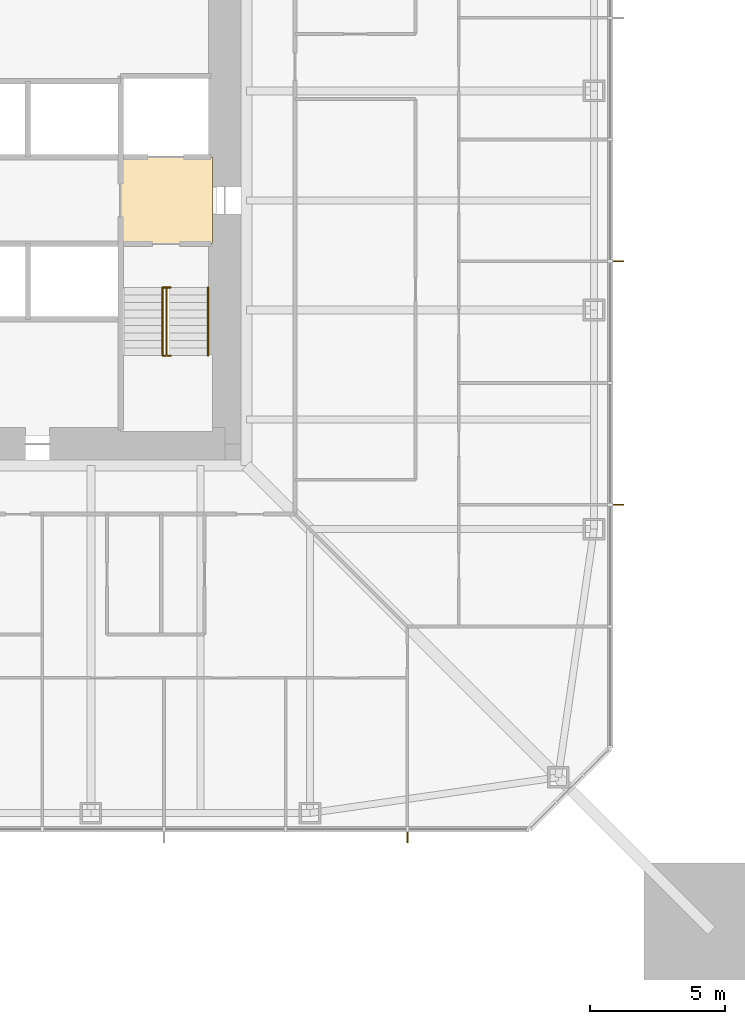
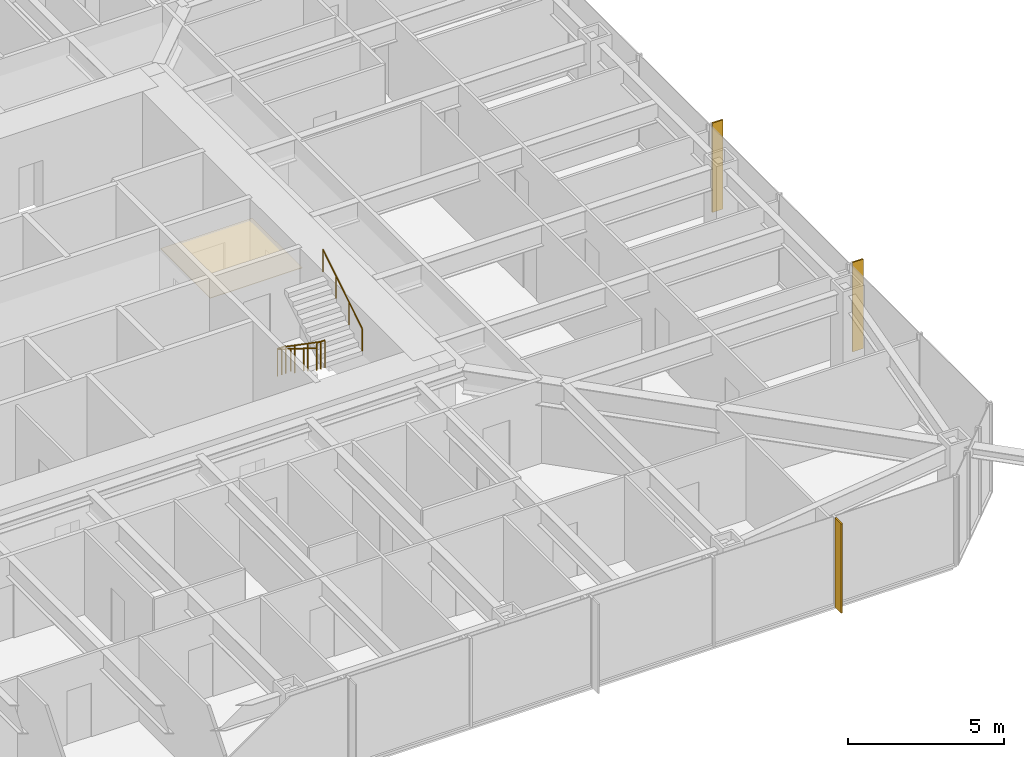
# One storey, part 24 of 26: 3 railings, 3 shading devices, 1 covering.
"""IFC4 building model written with IfcOpenShell, lengths in metres."""

import ifcopenshell
import ifcopenshell.guid

model = None  # the IFC model being written
_history = None  # IfcOwnerHistory: only IFC2X3 demands one
_inside = {}  # id of a spatial element -> (the spatial element, [elements in it])
_under = {}  # id of a project, library or spatial element -> (it, [spatial elements below it])
_declared = {}  # id of a project -> (the project, [libraries it declares])
_typed = {}  # id of a type object -> (the type object, [elements of that type])
_made_of = {}  # id of a material, layer set ... -> (it, [elements and type objects made of it])


def new_model(schema):
    """Start an empty IFC model of exactly this schema.

    Asked for "IFC4X3", IfcOpenShell would pick the latest addendum, in which some entities
    have other attributes; the version numbers below select the first issue.
    IFC2X3 requires an IfcOwnerHistory on every rooted entity: one is made here for all.
    """
    global model, _history
    if schema == "IFC4X3":
        model = ifcopenshell.file(schema_version=(4, 3, 0, 0))
    else:
        model = ifcopenshell.file(schema=schema)
    _inside.clear()
    _under.clear()
    _declared.clear()
    _typed.clear()
    _made_of.clear()
    _history = None
    if model.schema == "IFC2X3":
        org = make("IfcOrganization", Name="unknown")
        user = make(
            "IfcPersonAndOrganization",
            ThePerson=make("IfcPerson", FamilyName="unknown"),
            TheOrganization=org,
        )
        app = make(
            "IfcApplication",
            ApplicationDeveloper=org,
            Version="unknown",
            ApplicationFullName="unknown",
            ApplicationIdentifier="unknown",
        )
        _history = make(
            "IfcOwnerHistory",
            OwningUser=user,
            OwningApplication=app,
            ChangeAction="ADDED",
            CreationDate=0,
        )
    return model


def make(cls, **values):
    """One entity of the class cls with the attributes given. An attribute that is None is left unset."""
    return model.create_entity(
        cls, **{name: value for name, value in values.items() if value is not None}
    )


def rooted(cls, **values):
    """An entity with a GlobalId (a new one), such as an element, a storey or a relation."""
    return make(cls, GlobalId=ifcopenshell.guid.new(), OwnerHistory=_history, **values)


def si_unit(unit_type, name, prefix=None):
    """IfcSIUnit, for example si_unit("LENGTHUNIT", "METRE", prefix="MILLI")."""
    return make("IfcSIUnit", UnitType=unit_type, Prefix=prefix, Name=name)


def assignment(units):
    """IfcUnitAssignment: the units of a project."""
    return None if units is None else make("IfcUnitAssignment", Units=units)


def point(xyz):
    """IfcCartesianPoint."""
    return None if xyz is None else make("IfcCartesianPoint", Coordinates=xyz)


def direction(xyz):
    """IfcDirection."""
    return None if xyz is None else make("IfcDirection", DirectionRatios=xyz)


def frame(location, z_axis=None, x_axis=None):
    """IfcAxis2Placement3D, a coordinate frame: its origin and axes. An axis left out is left unset."""
    return make(
        "IfcAxis2Placement3D",
        Location=point(location),
        Axis=direction(z_axis),
        RefDirection=direction(x_axis),
    )


def frame_2d(location, x_axis=None):
    """IfcAxis2Placement2D, a coordinate frame in the plane: its origin and x axis."""
    return make(
        "IfcAxis2Placement2D", Location=point(location), RefDirection=direction(x_axis)
    )


def origin():
    """The frame at (0, 0, 0) with its axes left unset."""
    return frame((0.0, 0.0, 0.0))


def origin_2d():
    """The frame at (0, 0) in the plane with its x axis left unset."""
    return frame_2d((0.0, 0.0))


def place(relative_to, where):
    """IfcLocalPlacement: puts the frame where relative to a parent placement (None: the world)."""
    return make(
        "IfcLocalPlacement", PlacementRelTo=relative_to, RelativePlacement=where
    )


def context(
    kind, dimensions, precision=None, world=None, true_north=None, identifier=None
):
    """IfcGeometricRepresentationContext, for example the 3D "Model" context."""
    return make(
        "IfcGeometricRepresentationContext",
        ContextIdentifier=identifier,
        ContextType=kind,
        CoordinateSpaceDimension=dimensions,
        Precision=precision,
        WorldCoordinateSystem=world,
        TrueNorth=true_north,
    )


def subcontext(parent, identifier, kind, view, scale=None):
    """IfcGeometricRepresentationSubContext, for example "Body" below "Model"."""
    return make(
        "IfcGeometricRepresentationSubContext",
        ContextIdentifier=identifier,
        ContextType=kind,
        ParentContext=parent,
        TargetScale=scale,
        TargetView=view,
    )


def project(units=None, contexts=None):
    """IfcProject with its units and contexts."""
    return rooted(
        "IfcProject",
        Name="project",
        RepresentationContexts=contexts,
        UnitsInContext=assignment(units),
    )


def spatial(cls, under=None, at=None, **own):
    """A site, building, storey or space (cls), placed at a placement, below another one or the project."""
    s = rooted(cls, ObjectPlacement=at, **own)
    if under is not None:
        _under.setdefault(under.id(), (under, []))[1].append(s)
    return s


def polyline(points):
    """IfcPolyline through the points."""
    return make("IfcPolyline", Points=[point(p) for p in points])


def profile(cls, at=None, kind="AREA", **sizes):
    """A parametric profile (cls). Its sizes go by their IFC names, for example OverallWidth=200.0."""
    return make(cls, ProfileType=kind, Position=at, **sizes)


def rectangle(**sizes):
    """IfcRectangleProfileDef."""
    return profile("IfcRectangleProfileDef", **sizes)


def circle(**sizes):
    """IfcCircleProfileDef."""
    return profile("IfcCircleProfileDef", **sizes)


def outline(outer, holes=None, kind="AREA"):
    """IfcArbitraryClosedProfileDef: a profile drawn as a closed curve; with holes, ...WithVoids."""
    if holes is None:
        return make("IfcArbitraryClosedProfileDef", ProfileType=kind, OuterCurve=outer)
    return make(
        "IfcArbitraryProfileDefWithVoids",
        ProfileType=kind,
        OuterCurve=outer,
        InnerCurves=holes,
    )


def extrude(swept, where, along, depth):
    """IfcExtrudedAreaSolid: the profile swept, set in the frame where, extruded along a direction by depth."""
    return make(
        "IfcExtrudedAreaSolid",
        SweptArea=swept,
        Position=where,
        ExtrudedDirection=direction(along),
        Depth=depth,
    )


def shape(context_of_items, identifier, shape_type, items):
    """IfcShapeRepresentation: the items that make up one representation, for example the "Body"."""
    return make(
        "IfcShapeRepresentation",
        ContextOfItems=context_of_items,
        RepresentationIdentifier=identifier,
        RepresentationType=shape_type,
        Items=items,
    )


def material(Name=None, Category=None):
    """IfcMaterial."""
    return make("IfcMaterial", Name=Name, Category=Category)


def layer(
    of_material, thickness, ventilated=None, Name=None, Category=None, Priority=None
):
    """IfcMaterialLayer: one layer of a wall or slab, of a material (None: an air gap)."""
    return make(
        "IfcMaterialLayer",
        Material=of_material,
        LayerThickness=thickness,
        IsVentilated=ventilated,
        Name=Name,
        Category=Category,
        Priority=Priority,
    )


def layer_set(layers, Name=None):
    """IfcMaterialLayerSet."""
    return make("IfcMaterialLayerSet", MaterialLayers=layers, LayerSetName=Name)


def constituent(of_material, Name=None, Category=None, fraction=None):
    """IfcMaterialConstituent: one of the materials an element consists of."""
    return make(
        "IfcMaterialConstituent",
        Name=Name,
        Material=of_material,
        Fraction=fraction,
        Category=Category,
    )


def constituent_set(constituents=None, Name=None):
    """IfcMaterialConstituentSet."""
    return make(
        "IfcMaterialConstituentSet", Name=Name, MaterialConstituents=constituents
    )


def made_of(thing, what):
    """Note that an element or type object is made of a material, layer set ...; save() writes the relation."""
    if what is not None:
        _made_of.setdefault(what.id(), (what, []))[1].append(thing)
    return thing


def type_object(cls, material=None, **own):
    """A type object (cls), such as IfcWallType, which elements share."""
    return made_of(rooted(cls, **own), material)


def element(
    cls,
    number,
    at=None,
    inside=None,
    cuts=None,
    type_object=None,
    material=None,
    context=None,
    identifier="Body",
    shape_type=None,
    held_by="IfcProductDefinitionShape",
    body=None,
    shapes=None,
    **own,
):
    """One element of the class cls, such as IfcWall. Its Tag is "e" and its number.

    at: its placement. inside: the storey or other place that contains it. cuts: it is an
    opening in that element (IfcRelVoidsElement). A single representation is given by context,
    identifier, shape_type and body (its items); several are given by shapes. held_by: the class
    of the entity that holds the representations. save() writes the other relations.
    """
    e = rooted(cls, Tag="e%d" % number, ObjectPlacement=at, **own)
    if body is not None:
        shapes = [shape(context, identifier, shape_type, body)]
    if shapes is not None:
        e.Representation = make(held_by, Representations=shapes)
    if inside is not None:
        _inside.setdefault(inside.id(), (inside, []))[1].append(e)
    if cuts is not None:
        rooted(
            "IfcRelVoidsElement", RelatingBuildingElement=cuts, RelatedOpeningElement=e
        )
    if type_object is not None:
        _typed.setdefault(type_object.id(), (type_object, []))[1].append(e)
    return made_of(e, material)


def aggregate(whole, parts):
    """IfcRelAggregates: a whole, such as a stair, and the parts it consists of."""
    return rooted("IfcRelAggregates", RelatingObject=whole, RelatedObjects=parts)


def save(model, path):
    """Write the relations noted so far, then the file.

    IfcRelAggregates (storeys below a building ...), IfcRelContainedInSpatialStructure (elements
    in a storey), IfcRelDefinesByType, IfcRelAssociatesMaterial and IfcRelDeclares: one each for
    every whole, place, type object, material and project.
    """
    for whole, parts in _under.values():
        aggregate(whole, parts)
    for where, things in _inside.values():
        rooted(
            "IfcRelContainedInSpatialStructure",
            RelatedElements=things,
            RelatingStructure=where,
        )
    for kind, things in _typed.values():
        rooted("IfcRelDefinesByType", RelatedObjects=things, RelatingType=kind)
    for what, things in _made_of.values():
        rooted("IfcRelAssociatesMaterial", RelatedObjects=things, RelatingMaterial=what)
    for by, libraries in _declared.values():
        rooted("IfcRelDeclares", RelatingContext=by, RelatedDefinitions=libraries)
    model.write(path)


model = new_model("IFC4")

# Units and contexts
model_context = context("Model", 3, precision=1e-05, world=origin(), true_north=direction((0.0, 1.0)))
body_context = subcontext(model_context, "Body", "Model", "MODEL_VIEW")
ifc_project = project(units=[si_unit("LENGTHUNIT", "METRE"), si_unit("AREAUNIT", "SQUARE_METRE"), si_unit("VOLUMEUNIT", "CUBIC_METRE"), si_unit("PLANEANGLEUNIT", "RADIAN"), si_unit("MASSUNIT", "GRAM", prefix="KILO")], contexts=[model_context])

# Site, building, storey
site_placement = place(None, origin())
site = spatial("IfcSite", under=ifc_project, at=site_placement, CompositionType="ELEMENT")
building_placement = place(site_placement, origin())
building = spatial("IfcBuilding", under=site, at=building_placement, Name="Iwan Alto Co-Living Towers", CompositionType="ELEMENT")
storey_placement = place(building_placement, frame((0.0, 0.0, 60.5)))
storey = spatial("IfcBuildingStorey", under=building, at=storey_placement, Name="L16", CompositionType="ELEMENT", Elevation=60.5)

# Covering
ifc_material_1 = material(Name="Mineral fibre acoustic tiles on steel grid", Category="steel")
ifc_layer_1 = layer(ifc_material_1, 0.02001953125)
ifc_layer_set_1 = layer_set([ifc_layer_1], Name="ACOUSTIC TILE CEILING 20")
covering_type = type_object("IfcCoveringType", Name="ACOUSTIC TILE CEILING 20", PredefinedType="CEILING", material=ifc_layer_set_1)
covering_placement = place(storey_placement, frame((0.0, 0.0, 2.60009765625)))
element("IfcCovering", 1, at=covering_placement, inside=storey, type_object=covering_type, Name="Ceiling Firefighting lobby L16", PredefinedType="CEILING", context=body_context, shape_type="SweptSolid", body=[
    extrude(outline(polyline([(5.14990234375, -1.60009765625), (5.14990234375, 1.60009765625), (8.550048828125, 1.60009765625), (8.550048828125, -1.60009765625), (5.14990234375, -1.60009765625)])), origin(), (0.0, 0.0, 1.0), 0.02001953125),
])

# Shading devices
ifc_material_2 = material(Name="Aluminium 6063-T6 bronze anodised", Category="aluminium")
ifc_layer_2 = layer(ifc_material_2, 0.050048828125)
ifc_layer_set_2 = layer_set([ifc_layer_2], Name="BRONZE FIN 50X400")
shading_device_type = type_object("IfcShadingDeviceType", Name="BRONZE FIN 50X400", PredefinedType="USERDEFINED", material=ifc_layer_set_2)
for number, where, z_axis, x_axis, name in (
    (2, (15.75, -23.550048828125, 0.0), (0.0, 0.0, 1.0), (1.0, 0.0, 0.0), "Bronze fin L16"),
    (3, (23.550048828125, -11.25, 0.0), (0.0, 0.0, 1.0), (0.0, 1.0, 0.0), "Bronze fin L16"),
    (4, (23.550048828125, -2.25, 0.0), (0.0, 0.0, 1.0), (0.0, 1.0, 0.0), "Bronze fin L16"),
):
    element("IfcShadingDevice", number, at=place(storey_placement, frame(where, z_axis=z_axis, x_axis=x_axis)), inside=storey, type_object=shading_device_type, Name=name, ObjectType="LOUVER", PredefinedType="USERDEFINED", context=body_context, shape_type="SweptSolid", body=[
        extrude(rectangle(XDim=0.050048828125, YDim=0.39990234375, at=origin_2d()), origin(), (0.0, 0.0, 1.0), 3.5),
    ])

# Railings
ifc_material_3 = material(Name="Steel ASTM A500 Gr C", Category="steel")
ifc_constituent_1 = constituent(ifc_material_3, Name="Rails and posts", Category="Framing")
ifc_material_4 = material(Name="Steel ASTM A36", Category="steel")
ifc_constituent_2 = constituent(ifc_material_4, Name="Bar infill", Category="Infill")
ifc_constituent_set = constituent_set(constituents=[ifc_constituent_1, ifc_constituent_2], Name="STAIR GUARD 1100")
railing_type_1 = type_object("IfcRailingType", Name="STAIR GUARD 1100", PredefinedType="GUARDRAIL", material=ifc_constituent_set)
railing_1_placement = place(storey_placement, frame((6.85009765625, -3.219970703125, 0.0)))
element("IfcRailing", 5, at=railing_1_placement, inside=storey, type_object=railing_type_1, Name="Stair T1-S2 well guard L16", PredefinedType="GUARDRAIL", context=body_context, shape_type="SweptSolid", body=[
    extrude(circle(Radius=0.02392578125, at=origin_2d()), frame((0.0, 0.0, 1.076171875), z_axis=(0.0, -0.821372036852, 0.570392826987), x_axis=(1.0, 0.0, 0.0)), (0.0, 0.0, 1.0), 3.068115234375),
    extrude(circle(Radius=0.02392578125, at=origin_2d()), frame((-0.150146484375, 0.0, 1.076171875), z_axis=(1.0, 0.0, 0.0), x_axis=(0.0, 1.0, 0.0)), (0.0, 0.0, 1.0), 0.300048828125),
    extrude(circle(Radius=0.02392578125, at=origin_2d()), frame((-0.150146484375, -2.52001953125, 2.826171875), z_axis=(1.0, 0.0, 0.0), x_axis=(0.0, 1.0, 0.0)), (0.0, 0.0, 1.0), 0.300048828125),
    extrude(circle(Radius=0.02099609375, at=origin_2d()), origin(), (0.0, 0.0, 1.0), 1.052001953125),
    extrude(circle(Radius=0.02099609375, at=origin_2d()), frame((0.0, -0.840087890625, 0.583251953125)), (0.0, 0.0, 1.0), 1.052001953125),
    extrude(circle(Radius=0.02099609375, at=origin_2d()), frame((0.0, -1.679931640625, 1.166748046875)), (0.0, 0.0, 1.0), 1.052001953125),
    extrude(circle(Radius=0.02099609375, at=origin_2d()), frame((0.0, -2.52001953125, 1.75)), (0.0, 0.0, 1.0), 1.052001953125),
    extrude(circle(Radius=0.02099609375, at=origin_2d()), frame((-0.150146484375, 0.0, 0.0)), (0.0, 0.0, 1.0), 1.052001953125),
    extrude(circle(Radius=0.02099609375, at=origin_2d()), frame((0.14990234375, 0.0, 0.0)), (0.0, 0.0, 1.0), 1.052001953125),
    extrude(circle(Radius=0.02099609375, at=origin_2d()), frame((-0.150146484375, -2.52001953125, 1.75)), (0.0, 0.0, 1.0), 1.052001953125),
    extrude(circle(Radius=0.02099609375, at=origin_2d()), frame((0.14990234375, -2.52001953125, 1.75)), (0.0, 0.0, 1.0), 1.052001953125),
])
ifc_material_5 = material(Name="Steel ASTM A500 Gr C", Category="steel")
railing_type_2 = type_object("IfcRailingType", Name="STAIR HANDRAIL 900", PredefinedType="HANDRAIL", material=ifc_material_5)
railing_2_placement = place(storey_placement, frame((6.699951171875, -3.219970703125, 0.175048828125)))
element("IfcRailing", 6, at=railing_2_placement, inside=storey, type_object=railing_type_2, Name="Stair T1-S2 handrail 1 L16", PredefinedType="HANDRAIL", context=body_context, shape_type="SweptSolid", body=[
    extrude(circle(Radius=0.02392578125, at=origin_2d()), frame((0.0, 0.0, 0.8759765625), z_axis=(0.0, -0.848007534815, 0.529984170421), x_axis=(1.0, 0.0, 0.0)), (0.0, 0.0, 1.0), 2.9716796875),
    extrude(circle(Radius=0.02099609375, at=origin_2d()), origin(), (0.0, 0.0, 1.0), 0.851806640625),
    extrude(circle(Radius=0.02099609375, at=origin_2d()), frame((0.0, -0.840087890625, 0.52490234375)), (0.0, 0.0, 1.0), 0.851806640625),
    extrude(circle(Radius=0.02099609375, at=origin_2d()), frame((0.0, -1.679931640625, 1.050048828125)), (0.0, 0.0, 1.0), 0.851806640625),
    extrude(circle(Radius=0.02099609375, at=origin_2d()), frame((0.0, -2.52001953125, 1.574951171875)), (0.0, 0.0, 1.0), 0.851806640625),
])
railing_3_placement = place(storey_placement, frame((8.3798828125, -5.739990234375, 1.925048828125)))
element("IfcRailing", 7, at=railing_3_placement, inside=storey, type_object=railing_type_2, Name="Stair T1-S2 handrail 2 L16", PredefinedType="HANDRAIL", context=body_context, shape_type="SweptSolid", body=[
    extrude(circle(Radius=0.02392578125, at=origin_2d()), frame((0.0, 0.0, 0.8759765625), z_axis=(0.0, 0.848007534815, 0.529984170421), x_axis=(-1.0, 0.0, 0.0)), (0.0, 0.0, 1.0), 2.9716796875),
    extrude(circle(Radius=0.02099609375, at=origin_2d()), origin(), (0.0, 0.0, 1.0), 0.851806640625),
    extrude(circle(Radius=0.02099609375, at=origin_2d()), frame((0.0, 0.840087890625, 0.52490234375)), (0.0, 0.0, 1.0), 0.851806640625),
    extrude(circle(Radius=0.02099609375, at=origin_2d()), frame((0.0, 1.679931640625, 1.050048828125)), (0.0, 0.0, 1.0), 0.851806640625),
    extrude(circle(Radius=0.02099609375, at=origin_2d()), frame((0.0, 2.52001953125, 1.574951171875)), (0.0, 0.0, 1.0), 0.851806640625),
])

save(model, "model.ifc")
